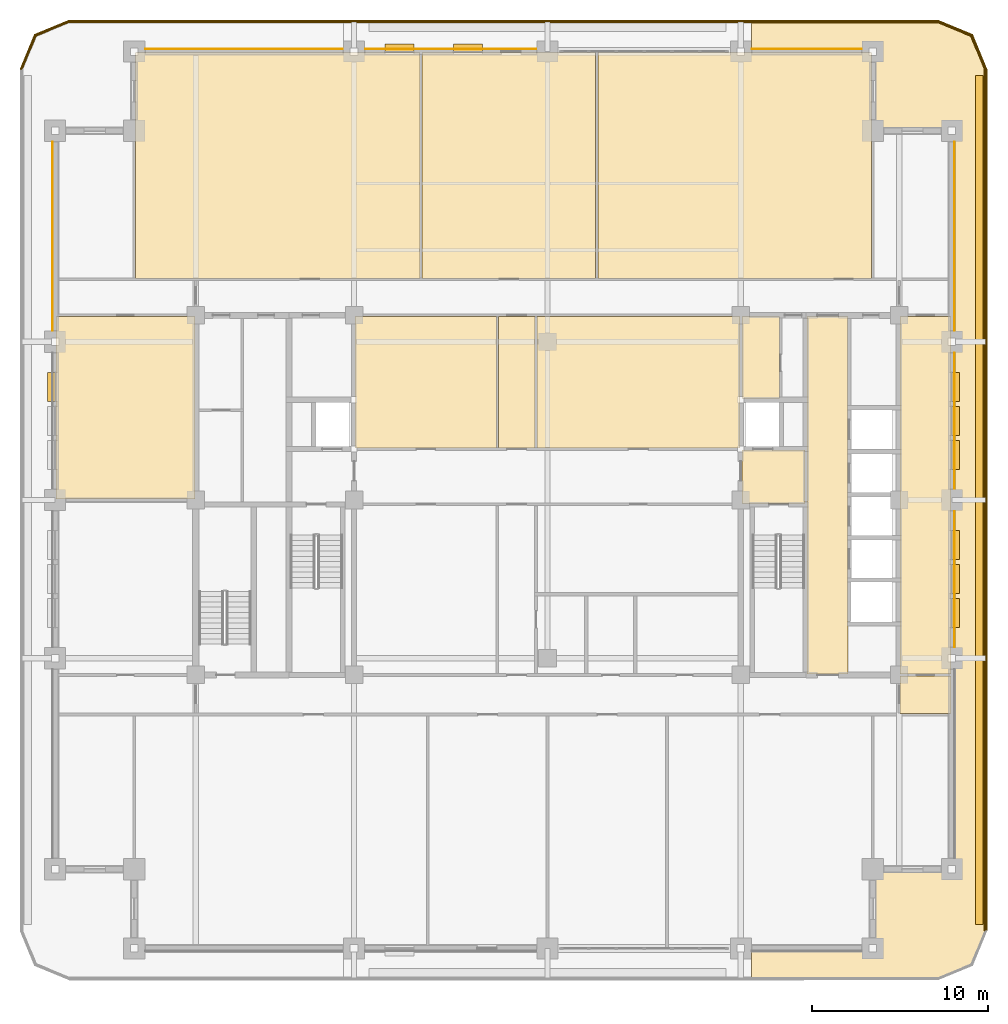
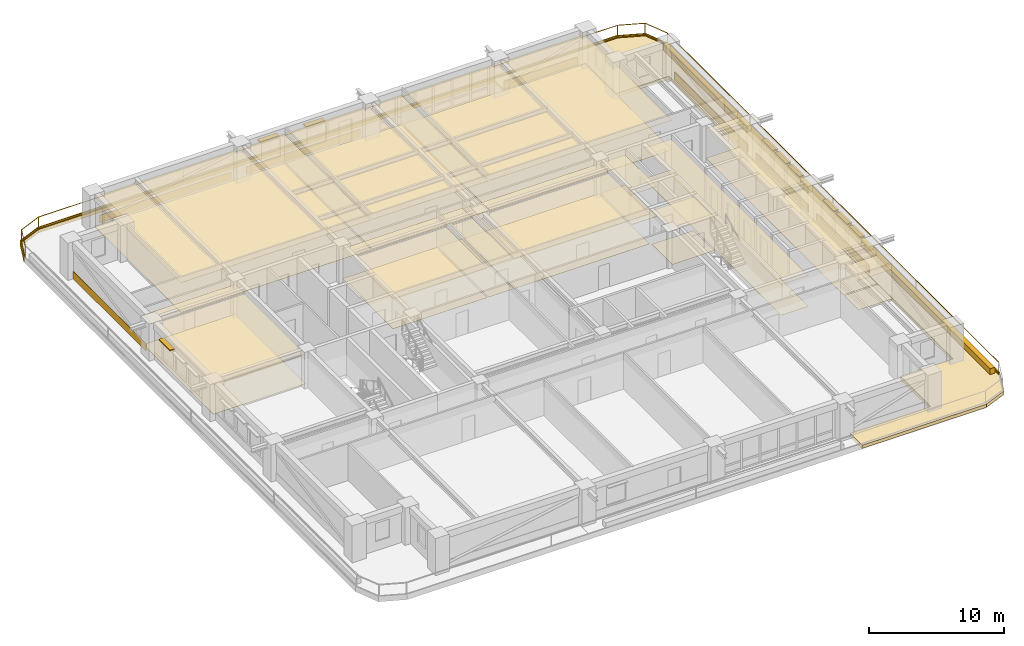
# One storey, part 20 of 20: 39 coverings, 9 shading devices, 2 railings.
"""IFC4 building model written with IfcOpenShell, lengths in metres."""

from ifc_helpers import new_model, si_unit, direction, frame, frame_2d, origin, origin_2d, place, context, subcontext, project, spatial, polyline, rectangle, outline, extrude, material, layer, layer_set, type_object, element, save


model = new_model("IFC4")

# Units and contexts
model_context = context("Model", 3, precision=1e-05, world=origin(), true_north=direction((0.0, 1.0)))
body_context = subcontext(model_context, "Body", "Model", "MODEL_VIEW")
ifc_project = project(units=[si_unit("LENGTHUNIT", "METRE"), si_unit("AREAUNIT", "SQUARE_METRE"), si_unit("VOLUMEUNIT", "CUBIC_METRE"), si_unit("PLANEANGLEUNIT", "RADIAN"), si_unit("MASSUNIT", "GRAM", prefix="KILO")], contexts=[model_context])

# Site, building, storey
site_placement = place(None, origin())
site = spatial("IfcSite", under=ifc_project, at=site_placement, CompositionType="ELEMENT")
building_placement = place(site_placement, origin())
building = spatial("IfcBuilding", under=site, at=building_placement, Name="Zulmaris Gate Convention Tower", CompositionType="ELEMENT")
storey_placement = place(building_placement, frame((0.0, 0.0, 142.769775390625)))
storey = spatial("IfcBuildingStorey", under=building, at=storey_placement, Name="L36", CompositionType="ELEMENT", Elevation=142.769775390625)

# Coverings
ifc_material_1 = material(Name="Precast concrete C40/50", Category="concrete")
ifc_layer_1 = layer(ifc_material_1, 0.0400390625, Name="Precast concrete C40/50")
ifc_layer_set_1 = layer_set([ifc_layer_1], Name="Precast concrete C40/50")
covering_type_1 = type_object("IfcCoveringType", Name="CLAD-SPANDREL-PRECAST", PredefinedType="CLADDING", material=ifc_layer_set_1)
covering_1_placement = place(storey_placement, frame((-11.6298828125, 25.64990234375, 0.0), z_axis=(0.0, 0.0, 1.0), x_axis=(-1.0, 0.0, 0.0)))
element("IfcCovering", 1, at=covering_1_placement, inside=storey, type_object=covering_type_1, Name="CLD-L36-N-0_0", PredefinedType="CLADDING", context=body_context, shape_type="SweptSolid", body=[
    extrude(rectangle(XDim=11.240234375, YDim=0.0400390625, at=frame_2d((5.6201171875, 0.0))), origin(), (0.0, 0.0, 1.0), 0.679931640625),
])
covering_2_placement = place(storey_placement, frame((-0.6298828125, 25.64990234375, 0.0), z_axis=(0.0, 0.0, 1.0), x_axis=(-1.0, 0.0, 0.0)))
element("IfcCovering", 2, at=covering_2_placement, inside=storey, type_object=covering_type_1, Name="CLD-L36-N-1_0", PredefinedType="CLADDING", context=body_context, shape_type="SweptSolid", body=[
    extrude(rectangle(XDim=9.740234375, YDim=0.0400390625, at=frame_2d((4.8701171875, 0.0))), origin(), (0.0, 0.0, 1.0), 0.679931640625),
])
covering_3_placement = place(storey_placement, frame((17.8701171875, 25.64990234375, 0.0), z_axis=(0.0, 0.0, 1.0), x_axis=(-1.0, 0.0, 0.0)))
element("IfcCovering", 3, at=covering_3_placement, inside=storey, type_object=covering_type_1, Name="CLD-L36-N-3_0", PredefinedType="CLADDING", context=body_context, shape_type="SweptSolid", body=[
    extrude(rectangle(XDim=6.240234375, YDim=0.0400390625, at=frame_2d((3.1201171875, 0.0))), origin(), (0.0, 0.0, 1.0), 0.679931640625),
])
for number, where, z_axis, x_axis, name in (
    (4, (23.14990234375, -8.3701171875, 0.0), (0.0, 0.0, 1.0), (0.0, 1.0, 0.0), "CLD-L36-E-1_0"),
    (5, (23.14990234375, 0.6298828125, 0.0), (0.0, 0.0, 1.0), (0.0, 1.0, 0.0), "CLD-L36-E-2_0"),
):
    element("IfcCovering", number, at=place(storey_placement, frame(where, z_axis=z_axis, x_axis=x_axis)), inside=storey, type_object=covering_type_1, Name=name, PredefinedType="CLADDING", context=body_context, shape_type="SweptSolid", body=[
        extrude(rectangle(XDim=7.740234375, YDim=0.0400390625, at=frame_2d((3.8701171875, 0.0))), origin(), (0.0, 0.0, 1.0), 0.679931640625),
    ])
for number, where, z_axis, x_axis, name in (
    (6, (23.14990234375, 9.6298828125, 0.0), (0.0, 0.0, 1.0), (0.0, 1.0, 0.0), "CLD-L36-E-3_0"),
    (7, (-28.14990234375, 20.3701171875, 0.0), (0.0, 0.0, 1.0), (0.0, -1.0, 0.0), "CLD-L36-W-3_0"),
):
    element("IfcCovering", number, at=place(storey_placement, frame(where, z_axis=z_axis, x_axis=x_axis)), inside=storey, type_object=covering_type_1, Name=name, PredefinedType="CLADDING", context=body_context, shape_type="SweptSolid", body=[
        extrude(rectangle(XDim=10.740234375, YDim=0.0400390625, at=frame_2d((5.3701171875, 0.0))), origin(), (0.0, 0.0, 1.0), 0.679931640625),
    ])
ifc_material_2 = material(Name="White Glazed Architectural Precast Concrete C40/50", Category="concrete")
ifc_layer_2 = layer(ifc_material_2, 0.239990234375, Name="White Glazed Architectural Precast Concrete C40/50")
ifc_layer_set_2 = layer_set([ifc_layer_2], Name="White Glazed Architectural Precast Concrete C40/50")
covering_type_2 = type_object("IfcCoveringType", Name="CLAD-TRAY-DECK", PredefinedType="CLADDING", material=ifc_layer_set_2)
covering_4_placement = place(storey_placement, frame((0.0, 0.0, -0.324951171875)))
element("IfcCovering", 8, at=covering_4_placement, inside=storey, type_object=covering_type_2, Name="L36 East Rounded-Fascia Planter Tray Deck", PredefinedType="CLADDING", context=body_context, shape_type="SweptSolid", body=[
    extrude(outline(polyline([(22.199951171875, 27.300048828125), (24.179931640625, 26.47998046875), (25.0, 24.5), (25.0, -24.5), (24.179931640625, -26.47998046875), (22.199951171875, -27.300048828125), (11.60205078125, -27.300048828125), (11.60205078125, -25.5), (18.5, -25.5), (18.5, -21.0), (23.0, -21.0), (23.0, 21.0), (18.5, 21.0), (18.5, 25.5), (11.60205078125, 25.5), (11.60205078125, 27.300048828125), (22.199951171875, 27.300048828125)])), origin(), (0.0, 0.0, 1.0), 0.300048828125),
])
ifc_layer_3 = layer(ifc_material_2, 0.080078125, Name="White Glazed Architectural Precast Concrete C40/50")
ifc_layer_set_3 = layer_set([ifc_layer_3], Name="White Glazed Architectural Precast Concrete C40/50")
covering_type_3 = type_object("IfcCoveringType", Name="CLAD-TRAY-FASCIA", PredefinedType="CLADDING", material=ifc_layer_set_3)
covering_5_placement = place(storey_placement, frame((24.9599609375, -24.5, -0.364990234375), z_axis=(0.0, 0.0, 1.0), x_axis=(0.0, 1.0, 0.0)))
element("IfcCovering", 9, at=covering_5_placement, inside=storey, type_object=covering_type_3, Name="FSC-L36-TR-05", PredefinedType="CLADDING", context=body_context, shape_type="SweptSolid", body=[
    extrude(rectangle(XDim=49.0, YDim=0.080078125, at=frame_2d((24.5, 0.0))), origin(), (0.0, 0.0, 1.0), 0.5),
])
covering_6_placement = place(storey_placement, frame((24.962890625, 24.484619140625, -0.364990234375), z_axis=(0.0, 0.0, 1.0), x_axis=(-0.382656984709, 0.923890487046, 0.0)))
element("IfcCovering", 10, at=covering_6_placement, inside=storey, type_object=covering_type_3, Name="FSC-L36-TR-06", PredefinedType="CLADDING", context=body_context, shape_type="SweptSolid", body=[
    extrude(rectangle(XDim=2.14306640625, YDim=0.080078125, at=frame_2d((1.071533203125, 0.0))), origin(), (0.0, 0.0, 1.0), 0.5),
])
covering_7_placement = place(storey_placement, frame((24.16455078125, 26.44287109375, -0.364990234375), z_axis=(0.0, 0.0, 1.0), x_axis=(-0.923873803533, 0.382697263049, 0.0)))
element("IfcCovering", 11, at=covering_7_placement, inside=storey, type_object=covering_type_3, Name="FSC-L36-TR-07", PredefinedType="CLADDING", context=body_context, shape_type="SweptSolid", body=[
    extrude(rectangle(XDim=2.142822265625, YDim=0.080078125, at=frame_2d((1.0712890625, 0.0))), origin(), (0.0, 0.0, 1.0), 0.5),
])
covering_8_placement = place(storey_placement, frame((22.199951171875, 27.260009765625, -0.364990234375), z_axis=(0.0, 0.0, 1.0), x_axis=(-1.0, 0.0, 0.0)))
element("IfcCovering", 12, at=covering_8_placement, inside=storey, type_object=covering_type_3, Name="FSC-L36-TR-08", PredefinedType="CLADDING", context=body_context, shape_type="SweptSolid", body=[
    extrude(rectangle(XDim=49.39990234375, YDim=0.080078125, at=frame_2d((24.699951171875, 0.0))), origin(), (0.0, 0.0, 1.0), 0.5),
])
covering_9_placement = place(storey_placement, frame((-27.184814453125, 27.262939453125, -0.364990234375), z_axis=(0.0, 0.0, 1.0), x_axis=(-0.923873803533, -0.382697263049, 0.0)))
element("IfcCovering", 13, at=covering_9_placement, inside=storey, type_object=covering_type_3, Name="FSC-L36-TR-09", PredefinedType="CLADDING", context=body_context, shape_type="SweptSolid", body=[
    extrude(rectangle(XDim=2.142822265625, YDim=0.080078125, at=frame_2d((1.0712890625, 0.0))), origin(), (0.0, 0.0, 1.0), 0.5),
])
covering_10_placement = place(storey_placement, frame((-29.142822265625, 26.464599609375, -0.364990234375), z_axis=(0.0, 0.0, 1.0), x_axis=(-0.382656984709, -0.923890487046, 0.0)))
element("IfcCovering", 14, at=covering_10_placement, inside=storey, type_object=covering_type_3, Name="FSC-L36-TR-10", PredefinedType="CLADDING", context=body_context, shape_type="SweptSolid", body=[
    extrude(rectangle(XDim=2.14306640625, YDim=0.080078125, at=frame_2d((1.071533203125, 0.0))), origin(), (0.0, 0.0, 1.0), 0.5),
])
ifc_material_3 = material(Name="Mineral Fibre Acoustic Ceiling Tile")
ifc_layer_4 = layer(ifc_material_3, 0.02001953125, Name="Mineral Fibre Acoustic Ceiling Tile")
ifc_layer_set_4 = layer_set([ifc_layer_4], Name="Mineral Fibre Acoustic Ceiling Tile")
covering_type_4 = type_object("IfcCoveringType", Name="CLG-ACOUSTIC-600", PredefinedType="CEILING", material=ifc_layer_set_4)
covering_11_placement = place(storey_placement, frame((0.0, 0.0, 3.0400390625)))
element("IfcCovering", 15, at=covering_11_placement, inside=storey, type_object=covering_type_4, Name="CLG-L36-R08", PredefinedType="CEILING", context=body_context, shape_type="SweptSolid", body=[
    extrude(outline(polyline([(11.06005859375, -0.18994140625), (14.639892578125, -0.18994140625), (14.639892578125, 2.840087890625), (11.06005859375, 2.840087890625), (11.06005859375, -0.18994140625)])), origin(), (0.0, 0.0, 1.0), 0.02001953125),
])
covering_12_placement = place(storey_placement, frame((0.0, 0.0, 2.703125)))
element("IfcCovering", 16, at=covering_12_placement, inside=storey, type_object=covering_type_4, Name="CLG-L36-R12", PredefinedType="CEILING", context=body_context, shape_type="SweptSolid", body=[
    extrude(outline(polyline([(11.06005859375, 5.760009765625), (13.18994140625, 5.760009765625), (13.18994140625, 10.43994140625), (11.06005859375, 10.43994140625), (11.06005859375, 5.760009765625)])), origin(), (0.0, 0.0, 1.0), 0.02001953125),
])
covering_13_placement = place(storey_placement, frame((0.0, 0.0, 2.778076171875)))
element("IfcCovering", 17, at=covering_13_placement, inside=storey, type_object=covering_type_4, Name="CLG-L36-R24", PredefinedType="CEILING", context=body_context, shape_type="SweptSolid", body=[
    extrude(outline(polyline([(14.760009765625, -9.889892578125), (17.090087890625, -9.889892578125), (17.090087890625, 10.43994140625), (14.760009765625, 10.43994140625), (14.760009765625, -9.889892578125)])), origin(), (0.0, 0.0, 1.0), 0.02001953125),
])
covering_14_placement = place(storey_placement, frame((0.0, 0.0, 2.778076171875)))
element("IfcCovering", 18, at=covering_14_placement, inside=storey, type_object=covering_type_4, Name="CLG-L36-R31", PredefinedType="CEILING", context=body_context, shape_type="SweptSolid", body=[
    extrude(outline(polyline([(-2.7900390625, 2.9599609375), (-0.7099609375, 2.9599609375), (-0.7099609375, 10.43994140625), (-2.7900390625, 10.43994140625), (-2.7900390625, 2.9599609375)])), origin(), (0.0, 0.0, 1.0), 0.02001953125),
])
covering_15_placement = place(storey_placement, frame((0.0, 0.0, 2.679931640625)))
element("IfcCovering", 19, at=covering_15_placement, inside=storey, type_object=covering_type_4, Name="CLG-L36-R33", PredefinedType="CEILING", context=body_context, shape_type="SweptSolid", body=[
    extrude(outline(polyline([(-23.43994140625, 12.610107421875), (-7.260009765625, 12.610107421875), (-7.260009765625, 25.43994140625), (-23.43994140625, 25.43994140625), (-23.43994140625, 12.610107421875)])), origin(), (0.0, 0.0, 1.0), 0.02001953125),
])
covering_16_placement = place(storey_placement, frame((0.0, 0.0, 2.679931640625)))
element("IfcCovering", 20, at=covering_16_placement, inside=storey, type_object=covering_type_4, Name="CLG-L36-R34", PredefinedType="CEILING", context=body_context, shape_type="SweptSolid", body=[
    extrude(outline(polyline([(-7.139892578125, 12.610107421875), (2.739990234375, 12.610107421875), (2.739990234375, 25.43994140625), (-7.139892578125, 25.43994140625), (-7.139892578125, 12.610107421875)])), origin(), (0.0, 0.0, 1.0), 0.02001953125),
])
covering_17_placement = place(storey_placement, frame((0.0, 0.0, 2.679931640625)))
element("IfcCovering", 21, at=covering_17_placement, inside=storey, type_object=covering_type_4, Name="CLG-L36-R35", PredefinedType="CEILING", context=body_context, shape_type="SweptSolid", body=[
    extrude(outline(polyline([(2.860107421875, 12.610107421875), (18.43994140625, 12.610107421875), (18.43994140625, 25.43994140625), (2.860107421875, 25.43994140625), (2.860107421875, 12.610107421875)])), origin(), (0.0, 0.0, 1.0), 0.02001953125),
])
covering_18_placement = place(storey_placement, frame((0.0, 0.0, 2.703125)))
element("IfcCovering", 22, at=covering_18_placement, inside=storey, type_object=covering_type_4, Name="CLG-L36-R40", PredefinedType="CEILING", context=body_context, shape_type="SweptSolid", body=[
    extrude(outline(polyline([(-10.93994140625, 2.9599609375), (-2.909912109375, 2.9599609375), (-2.909912109375, 10.43994140625), (-10.93994140625, 10.43994140625), (-10.93994140625, 2.9599609375)])), origin(), (0.0, 0.0, 1.0), 0.02001953125),
])
covering_19_placement = place(storey_placement, frame((0.0, 0.0, 2.703125)))
element("IfcCovering", 23, at=covering_19_placement, inside=storey, type_object=covering_type_4, Name="CLG-L36-R41", PredefinedType="CEILING", context=body_context, shape_type="SweptSolid", body=[
    extrude(outline(polyline([(-0.590087890625, 2.9599609375), (10.93994140625, 2.9599609375), (10.93994140625, 10.43994140625), (-0.590087890625, 10.43994140625), (-0.590087890625, 2.9599609375)])), origin(), (0.0, 0.0, 1.0), 0.02001953125),
])
covering_20_placement = place(storey_placement, frame((0.0, 0.0, 2.679931640625)))
element("IfcCovering", 24, at=covering_20_placement, inside=storey, type_object=covering_type_4, Name="CLG-L36-R49", PredefinedType="CEILING", context=body_context, shape_type="SweptSolid", body=[
    extrude(outline(polyline([(-27.93994140625, 0.06005859375), (-20.06005859375, 0.06005859375), (-20.06005859375, 10.43994140625), (-27.93994140625, 10.43994140625), (-27.93994140625, 0.06005859375)])), origin(), (0.0, 0.0, 1.0), 0.02001953125),
])
covering_21_placement = place(storey_placement, frame((0.0, 0.0, 2.679931640625)))
element("IfcCovering", 25, at=covering_21_placement, inside=storey, type_object=covering_type_4, Name="CLG-L36-R52", PredefinedType="CEILING", context=body_context, shape_type="SweptSolid", body=[
    extrude(outline(polyline([(20.06005859375, -12.139892578125), (22.93994140625, -12.139892578125), (22.93994140625, -10.010009765625), (20.06005859375, -10.010009765625), (20.06005859375, -12.139892578125)])), origin(), (0.0, 0.0, 1.0), 0.02001953125),
])
covering_22_placement = place(storey_placement, frame((0.0, 0.0, 2.679931640625)))
element("IfcCovering", 26, at=covering_22_placement, inside=storey, type_object=covering_type_4, Name="CLG-L36-R53", PredefinedType="CEILING", context=body_context, shape_type="SweptSolid", body=[
    extrude(outline(polyline([(20.06005859375, -9.889892578125), (22.93994140625, -9.889892578125), (22.93994140625, 10.43994140625), (20.06005859375, 10.43994140625), (20.06005859375, -9.889892578125)])), origin(), (0.0, 0.0, 1.0), 0.02001953125),
])
ifc_material_4 = material(Name="Woven Acoustic Wool Carpet Tile")
ifc_layer_5 = layer(ifc_material_4, 0.02001953125, Name="Woven Acoustic Wool Carpet Tile")
ifc_layer_set_5 = layer_set([ifc_layer_5], Name="Woven Acoustic Wool Carpet Tile")
covering_type_5 = type_object("IfcCoveringType", Name="FLR-CARPET-12", PredefinedType="FLOORING", material=ifc_layer_set_5)
covering_23_placement = place(storey_placement, origin())
element("IfcCovering", 27, at=covering_23_placement, inside=storey, type_object=covering_type_5, Name="FLR-L36-R08", PredefinedType="FLOORING", context=body_context, shape_type="SweptSolid", body=[
    extrude(outline(polyline([(11.06005859375, -0.18994140625), (14.639892578125, -0.18994140625), (14.639892578125, 2.840087890625), (11.06005859375, 2.840087890625), (11.06005859375, -0.18994140625)])), origin(), (0.0, 0.0, 1.0), 0.02001953125),
])
covering_24_placement = place(storey_placement, origin())
element("IfcCovering", 28, at=covering_24_placement, inside=storey, type_object=covering_type_5, Name="FLR-L36-R12", PredefinedType="FLOORING", context=body_context, shape_type="SweptSolid", body=[
    extrude(outline(polyline([(11.06005859375, 5.760009765625), (13.18994140625, 5.760009765625), (13.18994140625, 10.43994140625), (11.06005859375, 10.43994140625), (11.06005859375, 5.760009765625)])), origin(), (0.0, 0.0, 1.0), 0.02001953125),
])
covering_25_placement = place(storey_placement, origin())
element("IfcCovering", 29, at=covering_25_placement, inside=storey, type_object=covering_type_5, Name="FLR-L36-R24", PredefinedType="FLOORING", context=body_context, shape_type="SweptSolid", body=[
    extrude(outline(polyline([(14.760009765625, -9.889892578125), (17.090087890625, -9.889892578125), (17.090087890625, 10.43994140625), (14.760009765625, 10.43994140625), (14.760009765625, -9.889892578125)])), origin(), (0.0, 0.0, 1.0), 0.02001953125),
])
covering_26_placement = place(storey_placement, origin())
element("IfcCovering", 30, at=covering_26_placement, inside=storey, type_object=covering_type_5, Name="FLR-L36-R31", PredefinedType="FLOORING", context=body_context, shape_type="SweptSolid", body=[
    extrude(outline(polyline([(-2.7900390625, 2.9599609375), (-0.7099609375, 2.9599609375), (-0.7099609375, 10.43994140625), (-2.7900390625, 10.43994140625), (-2.7900390625, 2.9599609375)])), origin(), (0.0, 0.0, 1.0), 0.02001953125),
])
covering_27_placement = place(storey_placement, origin())
element("IfcCovering", 31, at=covering_27_placement, inside=storey, type_object=covering_type_5, Name="FLR-L36-R34", PredefinedType="FLOORING", context=body_context, shape_type="SweptSolid", body=[
    extrude(outline(polyline([(-7.139892578125, 12.610107421875), (2.739990234375, 12.610107421875), (2.739990234375, 25.43994140625), (-7.139892578125, 25.43994140625), (-7.139892578125, 12.610107421875)])), origin(), (0.0, 0.0, 1.0), 0.02001953125),
])
covering_28_placement = place(storey_placement, origin())
element("IfcCovering", 32, at=covering_28_placement, inside=storey, type_object=covering_type_5, Name="FLR-L36-R35", PredefinedType="FLOORING", context=body_context, shape_type="SweptSolid", body=[
    extrude(outline(polyline([(2.860107421875, 12.610107421875), (18.43994140625, 12.610107421875), (18.43994140625, 25.43994140625), (2.860107421875, 25.43994140625), (2.860107421875, 12.610107421875)])), origin(), (0.0, 0.0, 1.0), 0.02001953125),
])
covering_29_placement = place(storey_placement, origin())
element("IfcCovering", 33, at=covering_29_placement, inside=storey, type_object=covering_type_5, Name="FLR-L36-R41", PredefinedType="FLOORING", context=body_context, shape_type="SweptSolid", body=[
    extrude(outline(polyline([(-0.590087890625, 2.9599609375), (10.93994140625, 2.9599609375), (10.93994140625, 10.43994140625), (-0.590087890625, 10.43994140625), (-0.590087890625, 2.9599609375)])), origin(), (0.0, 0.0, 1.0), 0.02001953125),
])
covering_30_placement = place(storey_placement, origin())
element("IfcCovering", 34, at=covering_30_placement, inside=storey, type_object=covering_type_5, Name="FLR-L36-R49", PredefinedType="FLOORING", context=body_context, shape_type="SweptSolid", body=[
    extrude(outline(polyline([(-27.93994140625, 0.06005859375), (-20.06005859375, 0.06005859375), (-20.06005859375, 10.43994140625), (-27.93994140625, 10.43994140625), (-27.93994140625, 0.06005859375)])), origin(), (0.0, 0.0, 1.0), 0.02001953125),
])
covering_31_placement = place(storey_placement, origin())
element("IfcCovering", 35, at=covering_31_placement, inside=storey, type_object=covering_type_5, Name="FLR-L36-R52", PredefinedType="FLOORING", context=body_context, shape_type="SweptSolid", body=[
    extrude(outline(polyline([(20.06005859375, -12.139892578125), (22.93994140625, -12.139892578125), (22.93994140625, -10.010009765625), (20.06005859375, -10.010009765625), (20.06005859375, -12.139892578125)])), origin(), (0.0, 0.0, 1.0), 0.02001953125),
])
covering_32_placement = place(storey_placement, origin())
element("IfcCovering", 36, at=covering_32_placement, inside=storey, type_object=covering_type_5, Name="FLR-L36-R53", PredefinedType="FLOORING", context=body_context, shape_type="SweptSolid", body=[
    extrude(outline(polyline([(20.06005859375, -9.889892578125), (22.93994140625, -9.889892578125), (22.93994140625, 10.43994140625), (20.06005859375, 10.43994140625), (20.06005859375, -9.889892578125)])), origin(), (0.0, 0.0, 1.0), 0.02001953125),
])
ifc_material_5 = material(Name="Polished Granite Terrazzo Tile", Category="masonry")
ifc_layer_6 = layer(ifc_material_5, 0.02001953125, Name="Polished Granite Terrazzo Tile")
ifc_layer_set_6 = layer_set([ifc_layer_6], Name="Polished Granite Terrazzo Tile")
covering_type_6 = type_object("IfcCoveringType", Name="FLR-TERRAZZO-30", PredefinedType="FLOORING", material=ifc_layer_set_6)
covering_33_placement = place(storey_placement, origin())
element("IfcCovering", 37, at=covering_33_placement, inside=storey, type_object=covering_type_6, Name="FLR-L36-R40", PredefinedType="FLOORING", context=body_context, shape_type="SweptSolid", body=[
    extrude(outline(polyline([(-10.93994140625, 2.9599609375), (-2.909912109375, 2.9599609375), (-2.909912109375, 10.43994140625), (-10.93994140625, 10.43994140625), (-10.93994140625, 2.9599609375)])), origin(), (0.0, 0.0, 1.0), 0.02001953125),
])
ifc_material_6 = material(Name="Engineered Teak Parquet Flooring")
ifc_layer_7 = layer(ifc_material_6, 0.02001953125, Name="Engineered Teak Parquet Flooring")
ifc_layer_set_7 = layer_set([ifc_layer_7], Name="Engineered Teak Parquet Flooring")
covering_type_7 = type_object("IfcCoveringType", Name="FLR-TIMBER-18", PredefinedType="FLOORING", material=ifc_layer_set_7)
covering_34_placement = place(storey_placement, origin())
element("IfcCovering", 38, at=covering_34_placement, inside=storey, type_object=covering_type_7, Name="FLR-L36-R33", PredefinedType="FLOORING", context=body_context, shape_type="SweptSolid", body=[
    extrude(outline(polyline([(-23.43994140625, 12.610107421875), (-7.260009765625, 12.610107421875), (-7.260009765625, 25.43994140625), (-23.43994140625, 25.43994140625), (-23.43994140625, 12.610107421875)])), origin(), (0.0, 0.0, 1.0), 0.02001953125),
])
ifc_material_7 = material(Name="Botanical Green Glazed Precast Concrete C40/50", Category="concrete")
ifc_layer_8 = layer(ifc_material_7, 0.419921875, Name="Botanical Green Glazed Precast Concrete C40/50")
ifc_layer_set_8 = layer_set([ifc_layer_8], Name="Botanical Green Glazed Precast Concrete C40/50")
covering_type_8 = type_object("IfcCoveringType", Name="PLANTER-BOX-200", PredefinedType="CLADDING", material=ifc_layer_set_8)
covering_35_placement = place(storey_placement, frame((0.0, 0.0, -0.02490234375)))
element("IfcCovering", 39, at=covering_35_placement, inside=storey, type_object=covering_type_8, Name="L36 E Full-Length Balcony Tree Planter Trough", PredefinedType="CLADDING", context=body_context, shape_type="SweptSolid", body=[
    extrude(outline(polyline([(24.340087890625, -24.14990234375), (24.760009765625, -24.14990234375), (24.760009765625, 24.14990234375), (24.340087890625, 24.14990234375), (24.340087890625, -24.14990234375)])), origin(), (0.0, 0.0, 1.0), 0.52001953125),
])

# Railings
ifc_material_8 = material(Name="Laminated Glass and Stainless Steel", Category="steel")
railing_type = type_object("IfcRailingType", Name="RL-BALC-1150", PredefinedType="BALUSTRADE", material=ifc_material_8)
railing_1_placement = place(storey_placement, frame((24.8798828125, -24.5, -0.02490234375)))
element("IfcRailing", 40, at=railing_1_placement, inside=storey, type_object=railing_type, Name="RL-L36-BALC-E", PredefinedType="BALUSTRADE", context=body_context, shape_type="SweptSolid", body=[
    extrude(rectangle(XDim=0.048095703125, YDim=0.048095703125, at=origin_2d()), frame((0.0, 0.0, 1.1259765625), z_axis=(0.0, 1.0, 0.0), x_axis=(-1.0, 0.0, 0.0)), (0.0, 0.0, 1.0), 49.0),
    extrude(rectangle(XDim=0.048095703125, YDim=0.048095703125, at=origin_2d()), frame((0.0, 0.0, 0.02392578125), z_axis=(0.0, 1.0, 0.0), x_axis=(-1.0, 0.0, 0.0)), (0.0, 0.0, 1.0), 49.0),
    extrude(rectangle(XDim=0.0419921875, YDim=0.0419921875, at=origin_2d()), origin(), (0.0, 0.0, 1.0), 1.101806640625),
    extrude(rectangle(XDim=0.0419921875, YDim=0.0419921875, at=origin_2d()), frame((0.0, 12.25, 0.0)), (0.0, 0.0, 1.0), 1.101806640625),
    extrude(rectangle(XDim=0.0419921875, YDim=0.0419921875, at=origin_2d()), frame((0.0, 24.5, 0.0)), (0.0, 0.0, 1.0), 1.101806640625),
    extrude(rectangle(XDim=0.0419921875, YDim=0.0419921875, at=origin_2d()), frame((0.0, 36.75, 0.0)), (0.0, 0.0, 1.0), 1.101806640625),
    extrude(rectangle(XDim=0.0419921875, YDim=0.0419921875, at=origin_2d()), frame((0.0, 49.0, 0.0)), (0.0, 0.0, 1.0), 1.101806640625),
])
railing_2_placement = place(storey_placement, frame((24.8798828125, 24.5, -0.02490234375)))
element("IfcRailing", 41, at=railing_2_placement, inside=storey, type_object=railing_type, Name="RL-L36-BALC-N", PredefinedType="BALUSTRADE", context=body_context, shape_type="SweptSolid", body=[
    extrude(rectangle(XDim=0.048095703125, YDim=0.048095703125, at=origin_2d()), frame((0.0, 0.0, 1.1259765625), z_axis=(-0.382670664694, 0.92388482095, 0.0), x_axis=(-0.92388482095, -0.382670664694, 0.0)), (0.0, 0.0, 1.0), 2.051025390625),
    extrude(rectangle(XDim=0.048095703125, YDim=0.048095703125, at=origin_2d()), frame((0.0, 0.0, 0.02392578125), z_axis=(-0.382670664694, 0.92388482095, 0.0), x_axis=(-0.92388482095, -0.382670664694, 0.0)), (0.0, 0.0, 1.0), 2.051025390625),
    extrude(rectangle(XDim=0.048095703125, YDim=0.048095703125, at=origin_2d()), frame((-0.784912109375, 1.89501953125, 1.1259765625), z_axis=(-0.92388482095, 0.382670664694, 0.0), x_axis=(-0.382670664694, -0.92388482095, 0.0)), (0.0, 0.0, 1.0), 2.051025390625),
    extrude(rectangle(XDim=0.048095703125, YDim=0.048095703125, at=origin_2d()), frame((-0.784912109375, 1.89501953125, 0.02392578125), z_axis=(-0.92388482095, 0.382670664694, 0.0), x_axis=(-0.382670664694, -0.92388482095, 0.0)), (0.0, 0.0, 1.0), 2.051025390625),
    extrude(rectangle(XDim=0.048095703125, YDim=0.048095703125, at=origin_2d()), frame((-2.679931640625, 2.679931640625, 1.1259765625), z_axis=(-1.0, 0.0, 0.0), x_axis=(0.0, -1.0, 0.0)), (0.0, 0.0, 1.0), 49.39990234375),
    extrude(rectangle(XDim=0.048095703125, YDim=0.048095703125, at=origin_2d()), frame((-2.679931640625, 2.679931640625, 0.02392578125), z_axis=(-1.0, 0.0, 0.0), x_axis=(0.0, -1.0, 0.0)), (0.0, 0.0, 1.0), 49.39990234375),
    extrude(rectangle(XDim=0.048095703125, YDim=0.048095703125, at=origin_2d()), frame((-52.079833984375, 2.679931640625, 1.1259765625), z_axis=(-0.92388482095, -0.382670664694, 0.0), x_axis=(0.382670664694, -0.92388482095, 0.0)), (0.0, 0.0, 1.0), 2.051025390625),
    extrude(rectangle(XDim=0.048095703125, YDim=0.048095703125, at=origin_2d()), frame((-52.079833984375, 2.679931640625, 0.02392578125), z_axis=(-0.92388482095, -0.382670664694, 0.0), x_axis=(0.382670664694, -0.92388482095, 0.0)), (0.0, 0.0, 1.0), 2.051025390625),
    extrude(rectangle(XDim=0.048095703125, YDim=0.048095703125, at=origin_2d()), frame((-53.974853515625, 1.89501953125, 1.1259765625), z_axis=(-0.382670664694, -0.92388482095, 0.0), x_axis=(0.92388482095, -0.382670664694, 0.0)), (0.0, 0.0, 1.0), 2.051025390625),
    extrude(rectangle(XDim=0.048095703125, YDim=0.048095703125, at=origin_2d()), frame((-53.974853515625, 1.89501953125, 0.02392578125), z_axis=(-0.382670664694, -0.92388482095, 0.0), x_axis=(0.92388482095, -0.382670664694, 0.0)), (0.0, 0.0, 1.0), 2.051025390625),
    extrude(rectangle(XDim=0.0419921875, YDim=0.0419921875, at=origin_2d()), origin(), (0.0, 0.0, 1.0), 1.101806640625),
    extrude(rectangle(XDim=0.0419921875, YDim=0.0419921875, at=origin_2d()), frame((-0.784912109375, 1.89501953125, 0.0)), (0.0, 0.0, 1.0), 1.101806640625),
    extrude(rectangle(XDim=0.0419921875, YDim=0.0419921875, at=origin_2d()), frame((-2.679931640625, 2.679931640625, 0.0)), (0.0, 0.0, 1.0), 1.101806640625),
    extrude(rectangle(XDim=0.0419921875, YDim=0.0419921875, at=origin_2d()), frame((-15.02978515625, 2.679931640625, 0.0)), (0.0, 0.0, 1.0), 1.101806640625),
    extrude(rectangle(XDim=0.0419921875, YDim=0.0419921875, at=origin_2d()), frame((-27.3798828125, 2.679931640625, 0.0)), (0.0, 0.0, 1.0), 1.101806640625),
    extrude(rectangle(XDim=0.0419921875, YDim=0.0419921875, at=origin_2d()), frame((-39.72998046875, 2.679931640625, 0.0)), (0.0, 0.0, 1.0), 1.101806640625),
    extrude(rectangle(XDim=0.0419921875, YDim=0.0419921875, at=origin_2d()), frame((-52.079833984375, 2.679931640625, 0.0)), (0.0, 0.0, 1.0), 1.101806640625),
    extrude(rectangle(XDim=0.0419921875, YDim=0.0419921875, at=origin_2d()), frame((-53.974853515625, 1.89501953125, 0.0)), (0.0, 0.0, 1.0), 1.101806640625),
    extrude(rectangle(XDim=0.0419921875, YDim=0.0419921875, at=origin_2d()), frame((-54.759765625, 0.0, 0.0)), (0.0, 0.0, 1.0), 1.101806640625),
])

# Shading devices
ifc_material_9 = material(Name="Glazed Ceramic Terracotta", Category="masonry")
ifc_layer_9 = layer(ifc_material_9, 0.070068359375, Name="Glazed Ceramic Terracotta")
ifc_layer_set_9 = layer_set([ifc_layer_9], Name="Glazed Ceramic Terracotta")
shading_device_type = type_object("IfcShadingDeviceType", Name="SHD-SUNSHADE-TC", PredefinedType="AWNING", material=ifc_layer_set_9)
for number, where, z_axis, x_axis, name in (
    (42, (-3.700927734375, 25.719970703125, 2.530029296875), (0.0, 0.0, 1.0), (-1.0, 0.0, 0.0), "SHD-EW-L36-N-1_0-2"),
    (43, (-7.596923828125, 25.719970703125, 2.530029296875), (0.0, 0.0, 1.0), (-1.0, 0.0, 0.0), "SHD-EW-L36-N-1_0-4"),
):
    element("IfcShadingDevice", number, at=place(storey_placement, frame(where, z_axis=z_axis, x_axis=x_axis)), inside=storey, type_object=shading_device_type, Name=name, PredefinedType="AWNING", context=body_context, shape_type="SweptSolid", body=[
        extrude(rectangle(XDim=1.650146484375, YDim=0.43994140625, at=frame_2d((0.8251953125, 0.0))), origin(), (0.0, 0.0, 1.0), 0.070068359375),
    ])
for number, where, z_axis, x_axis, name in (
    (44, (23.219970703125, -7.260009765625, 2.530029296875), (0.0, 0.0, 1.0), (0.0, 1.0, 0.0), "SHD-EW-L36-E-1_0-1"),
    (45, (23.219970703125, -5.324951171875, 2.530029296875), (0.0, 0.0, 1.0), (0.0, 1.0, 0.0), "SHD-EW-L36-E-1_0-2"),
    (46, (23.219970703125, -3.389892578125, 2.530029296875), (0.0, 0.0, 1.0), (0.0, 1.0, 0.0), "SHD-EW-L36-E-1_0-3"),
    (47, (23.219970703125, 1.739990234375, 2.530029296875), (0.0, 0.0, 1.0), (0.0, 1.0, 0.0), "SHD-EW-L36-E-2_0-1"),
    (48, (23.219970703125, 3.675048828125, 2.530029296875), (0.0, 0.0, 1.0), (0.0, 1.0, 0.0), "SHD-EW-L36-E-2_0-2"),
    (49, (23.219970703125, 5.610107421875, 2.530029296875), (0.0, 0.0, 1.0), (0.0, 1.0, 0.0), "SHD-EW-L36-E-2_0-3"),
    (50, (-28.219970703125, 7.260009765625, 2.530029296875), (0.0, 0.0, 1.0), (0.0, -1.0, 0.0), "SHD-EW-L36-W-2_0-1"),
):
    element("IfcShadingDevice", number, at=place(storey_placement, frame(where, z_axis=z_axis, x_axis=x_axis)), inside=storey, type_object=shading_device_type, Name=name, PredefinedType="AWNING", context=body_context, shape_type="SweptSolid", body=[
        extrude(rectangle(XDim=1.64990234375, YDim=0.43994140625, at=frame_2d((0.824951171875, 0.0))), origin(), (0.0, 0.0, 1.0), 0.070068359375),
    ])

save(model, "model.ifc")
